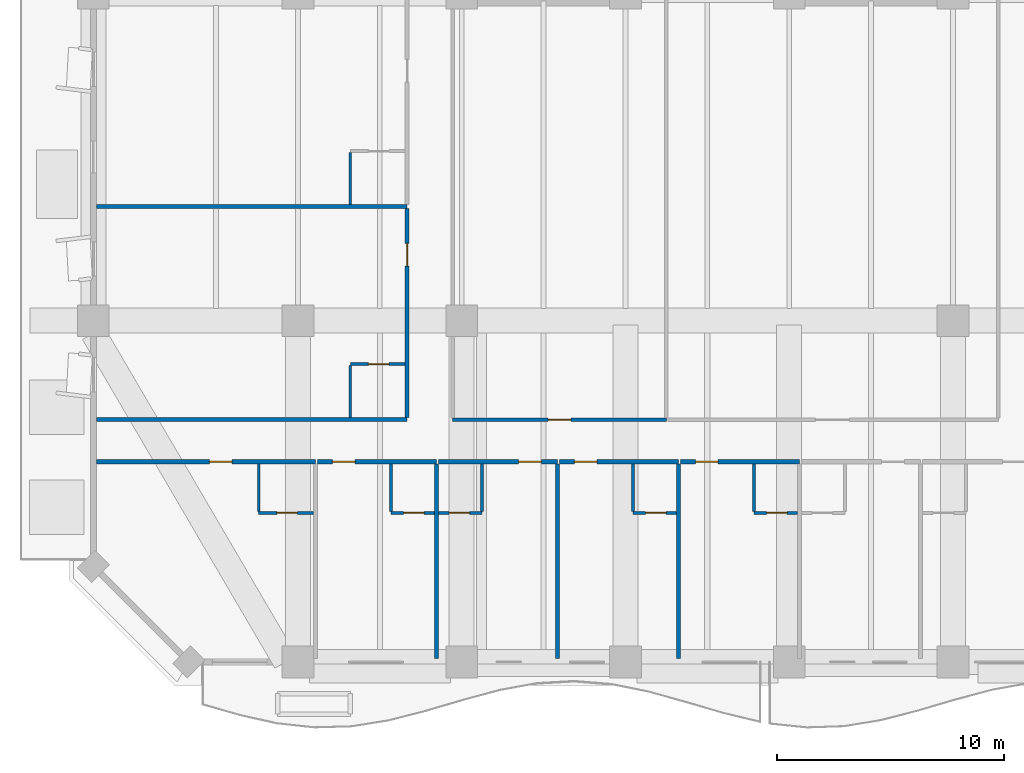
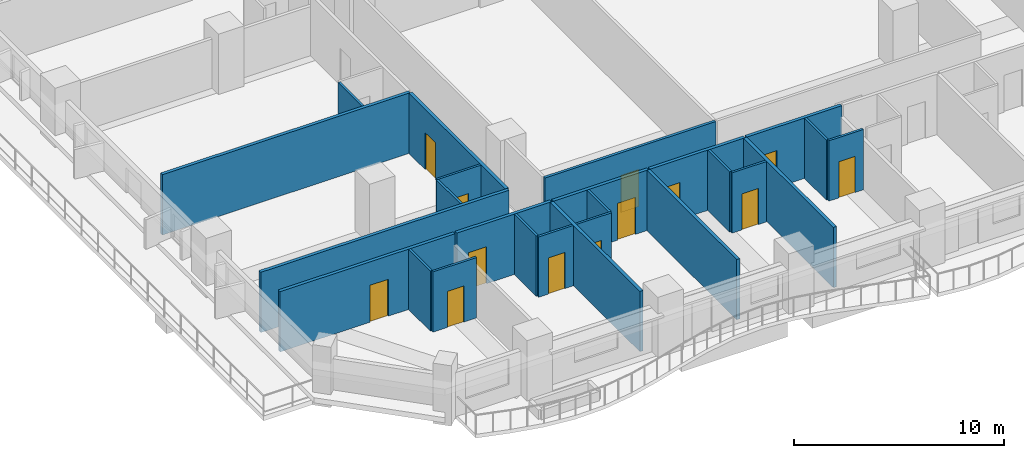
# One storey, part 5 of 17: 25 walls, 13 doors, 13 openings.
"""IFC4 building model written with IfcOpenShell, lengths in metres."""

import ifcopenshell
import ifcopenshell.guid

model = None  # the IFC model being written
_history = None  # IfcOwnerHistory: only IFC2X3 demands one
_inside = {}  # id of a spatial element -> (the spatial element, [elements in it])
_under = {}  # id of a project, library or spatial element -> (it, [spatial elements below it])
_declared = {}  # id of a project -> (the project, [libraries it declares])
_typed = {}  # id of a type object -> (the type object, [elements of that type])
_made_of = {}  # id of a material, layer set ... -> (it, [elements and type objects made of it])


def new_model(schema):
    """Start an empty IFC model of exactly this schema.

    Asked for "IFC4X3", IfcOpenShell would pick the latest addendum, in which some entities
    have other attributes; the version numbers below select the first issue.
    IFC2X3 requires an IfcOwnerHistory on every rooted entity: one is made here for all.
    """
    global model, _history
    if schema == "IFC4X3":
        model = ifcopenshell.file(schema_version=(4, 3, 0, 0))
    else:
        model = ifcopenshell.file(schema=schema)
    _inside.clear()
    _under.clear()
    _declared.clear()
    _typed.clear()
    _made_of.clear()
    _history = None
    if model.schema == "IFC2X3":
        org = make("IfcOrganization", Name="unknown")
        user = make(
            "IfcPersonAndOrganization",
            ThePerson=make("IfcPerson", FamilyName="unknown"),
            TheOrganization=org,
        )
        app = make(
            "IfcApplication",
            ApplicationDeveloper=org,
            Version="unknown",
            ApplicationFullName="unknown",
            ApplicationIdentifier="unknown",
        )
        _history = make(
            "IfcOwnerHistory",
            OwningUser=user,
            OwningApplication=app,
            ChangeAction="ADDED",
            CreationDate=0,
        )
    return model


def make(cls, **values):
    """One entity of the class cls with the attributes given. An attribute that is None is left unset."""
    return model.create_entity(
        cls, **{name: value for name, value in values.items() if value is not None}
    )


def rooted(cls, **values):
    """An entity with a GlobalId (a new one), such as an element, a storey or a relation."""
    return make(cls, GlobalId=ifcopenshell.guid.new(), OwnerHistory=_history, **values)


def si_unit(unit_type, name, prefix=None):
    """IfcSIUnit, for example si_unit("LENGTHUNIT", "METRE", prefix="MILLI")."""
    return make("IfcSIUnit", UnitType=unit_type, Prefix=prefix, Name=name)


def assignment(units):
    """IfcUnitAssignment: the units of a project."""
    return None if units is None else make("IfcUnitAssignment", Units=units)


def point(xyz):
    """IfcCartesianPoint."""
    return None if xyz is None else make("IfcCartesianPoint", Coordinates=xyz)


def direction(xyz):
    """IfcDirection."""
    return None if xyz is None else make("IfcDirection", DirectionRatios=xyz)


def frame(location, z_axis=None, x_axis=None):
    """IfcAxis2Placement3D, a coordinate frame: its origin and axes. An axis left out is left unset."""
    return make(
        "IfcAxis2Placement3D",
        Location=point(location),
        Axis=direction(z_axis),
        RefDirection=direction(x_axis),
    )


def frame_2d(location, x_axis=None):
    """IfcAxis2Placement2D, a coordinate frame in the plane: its origin and x axis."""
    return make(
        "IfcAxis2Placement2D", Location=point(location), RefDirection=direction(x_axis)
    )


def origin():
    """The frame at (0, 0, 0) with its axes left unset."""
    return frame((0.0, 0.0, 0.0))


def place(relative_to, where):
    """IfcLocalPlacement: puts the frame where relative to a parent placement (None: the world)."""
    return make(
        "IfcLocalPlacement", PlacementRelTo=relative_to, RelativePlacement=where
    )


def context(
    kind, dimensions, precision=None, world=None, true_north=None, identifier=None
):
    """IfcGeometricRepresentationContext, for example the 3D "Model" context."""
    return make(
        "IfcGeometricRepresentationContext",
        ContextIdentifier=identifier,
        ContextType=kind,
        CoordinateSpaceDimension=dimensions,
        Precision=precision,
        WorldCoordinateSystem=world,
        TrueNorth=true_north,
    )


def subcontext(parent, identifier, kind, view, scale=None):
    """IfcGeometricRepresentationSubContext, for example "Body" below "Model"."""
    return make(
        "IfcGeometricRepresentationSubContext",
        ContextIdentifier=identifier,
        ContextType=kind,
        ParentContext=parent,
        TargetScale=scale,
        TargetView=view,
    )


def project(units=None, contexts=None):
    """IfcProject with its units and contexts."""
    return rooted(
        "IfcProject",
        Name="project",
        RepresentationContexts=contexts,
        UnitsInContext=assignment(units),
    )


def spatial(cls, under=None, at=None, **own):
    """A site, building, storey or space (cls), placed at a placement, below another one or the project."""
    s = rooted(cls, ObjectPlacement=at, **own)
    if under is not None:
        _under.setdefault(under.id(), (under, []))[1].append(s)
    return s


def profile(cls, at=None, kind="AREA", **sizes):
    """A parametric profile (cls). Its sizes go by their IFC names, for example OverallWidth=200.0."""
    return make(cls, ProfileType=kind, Position=at, **sizes)


def rectangle(**sizes):
    """IfcRectangleProfileDef."""
    return profile("IfcRectangleProfileDef", **sizes)


def extrude(swept, where, along, depth):
    """IfcExtrudedAreaSolid: the profile swept, set in the frame where, extruded along a direction by depth."""
    return make(
        "IfcExtrudedAreaSolid",
        SweptArea=swept,
        Position=where,
        ExtrudedDirection=direction(along),
        Depth=depth,
    )


def shape(context_of_items, identifier, shape_type, items):
    """IfcShapeRepresentation: the items that make up one representation, for example the "Body"."""
    return make(
        "IfcShapeRepresentation",
        ContextOfItems=context_of_items,
        RepresentationIdentifier=identifier,
        RepresentationType=shape_type,
        Items=items,
    )


def material(Name=None, Category=None):
    """IfcMaterial."""
    return make("IfcMaterial", Name=Name, Category=Category)


def layer(
    of_material, thickness, ventilated=None, Name=None, Category=None, Priority=None
):
    """IfcMaterialLayer: one layer of a wall or slab, of a material (None: an air gap)."""
    return make(
        "IfcMaterialLayer",
        Material=of_material,
        LayerThickness=thickness,
        IsVentilated=ventilated,
        Name=Name,
        Category=Category,
        Priority=Priority,
    )


def layer_set(layers, Name=None):
    """IfcMaterialLayerSet."""
    return make("IfcMaterialLayerSet", MaterialLayers=layers, LayerSetName=Name)


def made_of(thing, what):
    """Note that an element or type object is made of a material, layer set ...; save() writes the relation."""
    if what is not None:
        _made_of.setdefault(what.id(), (what, []))[1].append(thing)
    return thing


def type_object(cls, material=None, **own):
    """A type object (cls), such as IfcWallType, which elements share."""
    return made_of(rooted(cls, **own), material)


def element(
    cls,
    number,
    at=None,
    inside=None,
    cuts=None,
    type_object=None,
    material=None,
    context=None,
    identifier="Body",
    shape_type=None,
    held_by="IfcProductDefinitionShape",
    body=None,
    shapes=None,
    **own,
):
    """One element of the class cls, such as IfcWall. Its Tag is "e" and its number.

    at: its placement. inside: the storey or other place that contains it. cuts: it is an
    opening in that element (IfcRelVoidsElement). A single representation is given by context,
    identifier, shape_type and body (its items); several are given by shapes. held_by: the class
    of the entity that holds the representations. save() writes the other relations.
    """
    e = rooted(cls, Tag="e%d" % number, ObjectPlacement=at, **own)
    if body is not None:
        shapes = [shape(context, identifier, shape_type, body)]
    if shapes is not None:
        e.Representation = make(held_by, Representations=shapes)
    if inside is not None:
        _inside.setdefault(inside.id(), (inside, []))[1].append(e)
    if cuts is not None:
        rooted(
            "IfcRelVoidsElement", RelatingBuildingElement=cuts, RelatedOpeningElement=e
        )
    if type_object is not None:
        _typed.setdefault(type_object.id(), (type_object, []))[1].append(e)
    return made_of(e, material)


def fill(opening, filler):
    """IfcRelFillsElement: the door or window that sits in an opening."""
    return rooted(
        "IfcRelFillsElement",
        RelatingOpeningElement=opening,
        RelatedBuildingElement=filler,
    )


def aggregate(whole, parts):
    """IfcRelAggregates: a whole, such as a stair, and the parts it consists of."""
    return rooted("IfcRelAggregates", RelatingObject=whole, RelatedObjects=parts)


def save(model, path):
    """Write the relations noted so far, then the file.

    IfcRelAggregates (storeys below a building ...), IfcRelContainedInSpatialStructure (elements
    in a storey), IfcRelDefinesByType, IfcRelAssociatesMaterial and IfcRelDeclares: one each for
    every whole, place, type object, material and project.
    """
    for whole, parts in _under.values():
        aggregate(whole, parts)
    for where, things in _inside.values():
        rooted(
            "IfcRelContainedInSpatialStructure",
            RelatedElements=things,
            RelatingStructure=where,
        )
    for kind, things in _typed.values():
        rooted("IfcRelDefinesByType", RelatedObjects=things, RelatingType=kind)
    for what, things in _made_of.values():
        rooted("IfcRelAssociatesMaterial", RelatedObjects=things, RelatingMaterial=what)
    for by, libraries in _declared.values():
        rooted("IfcRelDeclares", RelatingContext=by, RelatedDefinitions=libraries)
    model.write(path)


model = new_model("IFC4")

# Units and contexts
model_context = context("Model", 3, precision=1e-05, world=origin(), true_north=direction((0.0, 1.0)))
body_context = subcontext(model_context, "Body", "Model", "MODEL_VIEW")
ifc_project = project(units=[si_unit("LENGTHUNIT", "METRE"), si_unit("AREAUNIT", "SQUARE_METRE"), si_unit("VOLUMEUNIT", "CUBIC_METRE"), si_unit("PLANEANGLEUNIT", "RADIAN"), si_unit("MASSUNIT", "GRAM", prefix="KILO")], contexts=[model_context])

# Site, building, storey
site_placement = place(None, origin())
site = spatial("IfcSite", under=ifc_project, at=site_placement, CompositionType="ELEMENT")
building_placement = place(site_placement, origin())
building = spatial("IfcBuilding", under=site, at=building_placement, Name="Kaelvorn Grand Hotel", CompositionType="ELEMENT")
storey_placement = place(building_placement, frame((0.0, 0.0, 31.39990234375)))
storey = spatial("IfcBuildingStorey", under=building, at=storey_placement, Name="L05", CompositionType="ELEMENT", Elevation=31.39990234375)

# Wall, opening, door
ifc_material_1 = material(Name="Moisture-Resistant Tile & Stud Board")
ifc_layer_1 = layer(ifc_material_1, 0.125)
ifc_layer_set_1 = layer_set([ifc_layer_1], Name="Moisture-Resistant Tile & Stud Board")
wall_type_1 = type_object("IfcWallType", Name="WL-PART-125-WET", PredefinedType="PARTITIONING", material=ifc_layer_set_1)
wall_1_placement = place(storey_placement, frame((7.271240234375, 6.550048828125, 0.0), z_axis=(0.0, 0.0, 1.0), x_axis=(1.0, 0.0, 0.0)))
wall_1 = element("IfcWall", 1, at=wall_1_placement, inside=storey, type_object=wall_type_1, Name="L05 En-suite Bathroom L05-01 S Partition", PredefinedType="PARTITIONING", context=body_context, shape_type="SweptSolid", body=[
    extrude(rectangle(XDim=2.405029296875, YDim=0.125, at=frame_2d((1.20263671875, 0.0))), origin(), (0.0, 0.0, 1.0), 3.510009765625),
])
opening_1_placement = place(wall_1_placement, frame((0.800048828125, 0.0, 0.0)))
opening_1 = element("IfcOpeningElement", 2, at=opening_1_placement, cuts=wall_1, Name="Opening DI4", PredefinedType="OPENING", context=body_context, shape_type="SweptSolid", body=[
    extrude(rectangle(XDim=0.89990234375, YDim=2.10009765625, at=frame_2d((0.449951171875, 1.050048828125))), frame((0.0, 0.072509765625, 0.0), z_axis=(0.0, -1.0, 0.0), x_axis=(1.0, 0.0, 0.0)), (0.0, 0.0, 1.0), 0.14501953125),
])
ifc_material_2 = material(Name="Timber Veneer Leaf", Category="wood")
door_type_1 = type_object("IfcDoorType", Name="DR-INT-BATH-900x2100", OperationType="NOTDEFINED", PredefinedType="DOOR", material=ifc_material_2)
door_1_placement = place(opening_1_placement, origin())
door_1 = element("IfcDoor", 3, at=door_1_placement, inside=storey, type_object=door_type_1, Name="L05 En-suite Bathroom L05-01 Door", OperationType="SINGLE_SWING_RIGHT", OverallHeight=2.10009765625, OverallWidth=0.89990234375, PredefinedType="DOOR", context=body_context, shape_type="SweptSolid", body=[
    extrude(rectangle(XDim=0.89990234375, YDim=2.10009765625, at=frame_2d((0.449951171875, 1.050048828125))), frame((0.0, 0.02490234375, 0.0), z_axis=(0.0, -1.0, 0.0), x_axis=(1.0, 0.0, 0.0)), (0.0, 0.0, 1.0), 0.050048828125),
])
fill(opening_1, door_1)

# Wall
wall_2_placement = place(storey_placement, frame((7.271240234375, 6.617431640625, 0.0), z_axis=(0.0, 0.0, 1.0), x_axis=(0.0, 1.0, 0.0)))
element("IfcWall", 4, at=wall_2_placement, inside=storey, type_object=wall_type_1, Name="L05 En-suite Bathroom L05-01 W Partition", PredefinedType="PARTITIONING", context=body_context, shape_type="SweptSolid", body=[
    extrude(rectangle(XDim=2.087646484375, YDim=0.125, at=frame_2d((1.0439453125, 0.0))), origin(), (0.0, 0.0, 1.0), 3.510009765625),
])

# Wall, opening, door
wall_3_placement = place(storey_placement, frame((13.092529296875, 6.550048828125, 0.0), z_axis=(0.0, 0.0, 1.0), x_axis=(1.0, 0.0, 0.0)))
wall_3 = element("IfcWall", 5, at=wall_3_placement, inside=storey, type_object=wall_type_1, Name="L05 En-suite Bathroom L05-02 S Partition", PredefinedType="PARTITIONING", context=body_context, shape_type="SweptSolid", body=[
    extrude(rectangle(XDim=1.905029296875, YDim=0.125, at=frame_2d((0.95263671875, 0.0))), origin(), (0.0, 0.0, 1.0), 3.510009765625),
])
opening_2_placement = place(wall_3_placement, frame((0.550048828125, 0.0, 0.0)))
opening_2 = element("IfcOpeningElement", 6, at=opening_2_placement, cuts=wall_3, Name="Opening DI4", PredefinedType="OPENING", context=body_context, shape_type="SweptSolid", body=[
    extrude(rectangle(XDim=0.89990234375, YDim=2.10009765625, at=frame_2d((0.449951171875, 1.050048828125))), frame((0.0, 0.072509765625, 0.0), z_axis=(0.0, -1.0, 0.0), x_axis=(1.0, 0.0, 0.0)), (0.0, 0.0, 1.0), 0.14501953125),
])
door_2_placement = place(opening_2_placement, origin())
door_2 = element("IfcDoor", 7, at=door_2_placement, inside=storey, type_object=door_type_1, Name="L05 En-suite Bathroom L05-02 Door", OperationType="SINGLE_SWING_RIGHT", OverallHeight=2.10009765625, OverallWidth=0.89990234375, PredefinedType="DOOR", context=body_context, shape_type="SweptSolid", body=[
    extrude(rectangle(XDim=0.89990234375, YDim=2.10009765625, at=frame_2d((0.449951171875, 1.050048828125))), frame((0.0, 0.02490234375, 0.0), z_axis=(0.0, -1.0, 0.0), x_axis=(1.0, 0.0, 0.0)), (0.0, 0.0, 1.0), 0.050048828125),
])
fill(opening_2, door_2)

# Wall
wall_4_placement = place(storey_placement, frame((13.092529296875, 6.617431640625, 0.0), z_axis=(0.0, 0.0, 1.0), x_axis=(0.0, 1.0, 0.0)))
element("IfcWall", 8, at=wall_4_placement, inside=storey, type_object=wall_type_1, Name="L05 En-suite Bathroom L05-02 W Partition", PredefinedType="PARTITIONING", context=body_context, shape_type="SweptSolid", body=[
    extrude(rectangle(XDim=2.087646484375, YDim=0.125, at=frame_2d((1.0439453125, 0.0))), origin(), (0.0, 0.0, 1.0), 3.510009765625),
])

# Wall, opening, door
wall_5_placement = place(storey_placement, frame((15.1875, 6.550048828125, 0.0), z_axis=(0.0, 0.0, 1.0), x_axis=(1.0, 0.0, 0.0)))
wall_5 = element("IfcWall", 9, at=wall_5_placement, inside=storey, type_object=wall_type_1, Name="L05 En-suite Bathroom L05-03 S Partition", PredefinedType="PARTITIONING", context=body_context, shape_type="SweptSolid", body=[
    extrude(rectangle(XDim=1.905029296875, YDim=0.125, at=frame_2d((0.95263671875, 0.0))), origin(), (0.0, 0.0, 1.0), 3.510009765625),
])
opening_3_placement = place(wall_5_placement, frame((0.455078125, 0.0, 0.0)))
opening_3 = element("IfcOpeningElement", 10, at=opening_3_placement, cuts=wall_5, Name="Opening DI4", PredefinedType="OPENING", context=body_context, shape_type="SweptSolid", body=[
    extrude(rectangle(XDim=0.89990234375, YDim=2.10009765625, at=frame_2d((0.449951171875, 1.050048828125))), frame((0.0, 0.072509765625, 0.0), z_axis=(0.0, -1.0, 0.0), x_axis=(1.0, 0.0, 0.0)), (0.0, 0.0, 1.0), 0.14501953125),
])
door_3_placement = place(opening_3_placement, origin())
door_3 = element("IfcDoor", 11, at=door_3_placement, inside=storey, type_object=door_type_1, Name="L05 En-suite Bathroom L05-03 Door", OperationType="SINGLE_SWING_RIGHT", OverallHeight=2.10009765625, OverallWidth=0.89990234375, PredefinedType="DOOR", context=body_context, shape_type="SweptSolid", body=[
    extrude(rectangle(XDim=0.89990234375, YDim=2.10009765625, at=frame_2d((0.449951171875, 1.050048828125))), frame((0.0, 0.02490234375, 0.0), z_axis=(0.0, -1.0, 0.0), x_axis=(1.0, 0.0, 0.0)), (0.0, 0.0, 1.0), 0.050048828125),
])
fill(opening_3, door_3)

# Wall
wall_6_placement = place(storey_placement, frame((17.092529296875, 6.617431640625, 0.0), z_axis=(0.0, 0.0, 1.0), x_axis=(0.0, 1.0, 0.0)))
element("IfcWall", 12, at=wall_6_placement, inside=storey, type_object=wall_type_1, Name="L05 En-suite Bathroom L05-03 E Partition", PredefinedType="PARTITIONING", context=body_context, shape_type="SweptSolid", body=[
    extrude(rectangle(XDim=2.087646484375, YDim=0.125, at=frame_2d((1.0439453125, 0.0))), origin(), (0.0, 0.0, 1.0), 3.510009765625),
])

# Wall, opening, door
wall_7_placement = place(storey_placement, frame((23.735107421875, 6.550048828125, 0.0), z_axis=(0.0, 0.0, 1.0), x_axis=(1.0, 0.0, 0.0)))
wall_7 = element("IfcWall", 13, at=wall_7_placement, inside=storey, type_object=wall_type_1, Name="L05 En-suite Bathroom L05-04 S Partition", PredefinedType="PARTITIONING", context=body_context, shape_type="SweptSolid", body=[
    extrude(rectangle(XDim=1.90478515625, YDim=0.125, at=frame_2d((0.952392578125, 0.0))), origin(), (0.0, 0.0, 1.0), 3.510009765625),
])
opening_4_placement = place(wall_7_placement, frame((0.550048828125, 0.0, 0.0)))
opening_4 = element("IfcOpeningElement", 14, at=opening_4_placement, cuts=wall_7, Name="Opening DI4", PredefinedType="OPENING", context=body_context, shape_type="SweptSolid", body=[
    extrude(rectangle(XDim=0.89990234375, YDim=2.10009765625, at=frame_2d((0.449951171875, 1.050048828125))), frame((0.0, 0.072509765625, 0.0), z_axis=(0.0, -1.0, 0.0), x_axis=(1.0, 0.0, 0.0)), (0.0, 0.0, 1.0), 0.14501953125),
])
door_4_placement = place(opening_4_placement, origin())
door_4 = element("IfcDoor", 15, at=door_4_placement, inside=storey, type_object=door_type_1, Name="L05 En-suite Bathroom L05-04 Door", OperationType="SINGLE_SWING_RIGHT", OverallHeight=2.10009765625, OverallWidth=0.89990234375, PredefinedType="DOOR", context=body_context, shape_type="SweptSolid", body=[
    extrude(rectangle(XDim=0.89990234375, YDim=2.10009765625, at=frame_2d((0.449951171875, 1.050048828125))), frame((0.0, 0.02490234375, 0.0), z_axis=(0.0, -1.0, 0.0), x_axis=(1.0, 0.0, 0.0)), (0.0, 0.0, 1.0), 0.050048828125),
])
fill(opening_4, door_4)

# Wall
wall_8_placement = place(storey_placement, frame((23.735107421875, 6.617431640625, 0.0), z_axis=(0.0, 0.0, 1.0), x_axis=(0.0, 1.0, 0.0)))
element("IfcWall", 16, at=wall_8_placement, inside=storey, type_object=wall_type_1, Name="L05 En-suite Bathroom L05-04 W Partition", PredefinedType="PARTITIONING", context=body_context, shape_type="SweptSolid", body=[
    extrude(rectangle(XDim=2.087646484375, YDim=0.125, at=frame_2d((1.0439453125, 0.0))), origin(), (0.0, 0.0, 1.0), 3.510009765625),
])

# Wall, opening, door
wall_9_placement = place(storey_placement, frame((29.056396484375, 6.550048828125, 0.0), z_axis=(0.0, 0.0, 1.0), x_axis=(1.0, 0.0, 0.0)))
wall_9 = element("IfcWall", 17, at=wall_9_placement, inside=storey, type_object=wall_type_1, Name="L05 En-suite Bathroom L05-05 S Partition", PredefinedType="PARTITIONING", context=body_context, shape_type="SweptSolid", body=[
    extrude(rectangle(XDim=1.90478515625, YDim=0.125, at=frame_2d((0.952392578125, 0.0))), origin(), (0.0, 0.0, 1.0), 3.510009765625),
])
opening_5_placement = place(wall_9_placement, frame((0.550048828125, 0.0, 0.0)))
opening_5 = element("IfcOpeningElement", 18, at=opening_5_placement, cuts=wall_9, Name="Opening DI4", PredefinedType="OPENING", context=body_context, shape_type="SweptSolid", body=[
    extrude(rectangle(XDim=0.89990234375, YDim=2.10009765625, at=frame_2d((0.449951171875, 1.050048828125))), frame((0.0, 0.072509765625, 0.0), z_axis=(0.0, -1.0, 0.0), x_axis=(1.0, 0.0, 0.0)), (0.0, 0.0, 1.0), 0.14501953125),
])
door_5_placement = place(opening_5_placement, origin())
door_5 = element("IfcDoor", 19, at=door_5_placement, inside=storey, type_object=door_type_1, Name="L05 En-suite Bathroom L05-05 Door", OperationType="SINGLE_SWING_RIGHT", OverallHeight=2.10009765625, OverallWidth=0.89990234375, PredefinedType="DOOR", context=body_context, shape_type="SweptSolid", body=[
    extrude(rectangle(XDim=0.89990234375, YDim=2.10009765625, at=frame_2d((0.449951171875, 1.050048828125))), frame((0.0, 0.02490234375, 0.0), z_axis=(0.0, -1.0, 0.0), x_axis=(1.0, 0.0, 0.0)), (0.0, 0.0, 1.0), 0.050048828125),
])
fill(opening_5, door_5)

# Wall
wall_10_placement = place(storey_placement, frame((29.056396484375, 6.617431640625, 0.0), z_axis=(0.0, 0.0, 1.0), x_axis=(0.0, 1.0, 0.0)))
element("IfcWall", 20, at=wall_10_placement, inside=storey, type_object=wall_type_1, Name="L05 En-suite Bathroom L05-05 W Partition", PredefinedType="PARTITIONING", context=body_context, shape_type="SweptSolid", body=[
    extrude(rectangle(XDim=2.087646484375, YDim=0.125, at=frame_2d((1.0439453125, 0.0))), origin(), (0.0, 0.0, 1.0), 3.510009765625),
])

# Wall, opening, door
wall_11_placement = place(storey_placement, frame((11.300048828125, 13.090087890625, 0.0), z_axis=(0.0, 0.0, 1.0), x_axis=(1.0, 0.0, 0.0)))
wall_11 = element("IfcWall", 21, at=wall_11_placement, inside=storey, type_object=wall_type_1, Name="L05 En-suite Bathroom L05-14 N Partition", PredefinedType="PARTITIONING", context=body_context, shape_type="SweptSolid", body=[
    extrude(rectangle(XDim=2.405029296875, YDim=0.125, at=frame_2d((1.20263671875, 0.0))), origin(), (0.0, 0.0, 1.0), 3.510009765625),
])
opening_6_placement = place(wall_11_placement, frame((0.800048828125, 0.0, 0.0)))
opening_6 = element("IfcOpeningElement", 22, at=opening_6_placement, cuts=wall_11, Name="Opening DI4", PredefinedType="OPENING", context=body_context, shape_type="SweptSolid", body=[
    extrude(rectangle(XDim=0.89990234375, YDim=2.10009765625, at=frame_2d((0.449951171875, 1.050048828125))), frame((0.0, 0.072509765625, 0.0), z_axis=(0.0, -1.0, 0.0), x_axis=(1.0, 0.0, 0.0)), (0.0, 0.0, 1.0), 0.14501953125),
])
door_6_placement = place(opening_6_placement, origin())
door_6 = element("IfcDoor", 23, at=door_6_placement, inside=storey, type_object=door_type_1, Name="L05 En-suite Bathroom L05-14 Door", OperationType="SINGLE_SWING_LEFT", OverallHeight=2.10009765625, OverallWidth=0.89990234375, PredefinedType="DOOR", context=body_context, shape_type="SweptSolid", body=[
    extrude(rectangle(XDim=0.89990234375, YDim=2.10009765625, at=frame_2d((0.449951171875, 1.050048828125))), frame((0.0, 0.02490234375, 0.0), z_axis=(0.0, -1.0, 0.0), x_axis=(1.0, 0.0, 0.0)), (0.0, 0.0, 1.0), 0.050048828125),
])
fill(opening_6, door_6)

# Walls
wall_12_placement = place(storey_placement, frame((11.300048828125, 10.7451171875, 0.0), z_axis=(0.0, 0.0, 1.0), x_axis=(0.0, 1.0, 0.0)))
element("IfcWall", 24, at=wall_12_placement, inside=storey, type_object=wall_type_1, Name="L05 En-suite Bathroom L05-14 W Partition", PredefinedType="PARTITIONING", context=body_context, shape_type="SweptSolid", body=[
    extrude(rectangle(XDim=2.27734375, YDim=0.125, at=frame_2d((1.138671875, 0.0))), origin(), (0.0, 0.0, 1.0), 3.510009765625),
])
wall_13_placement = place(storey_placement, frame((11.300048828125, 20.114990234375, 0.0), z_axis=(0.0, 0.0, 1.0), x_axis=(0.0, 1.0, 0.0)))
element("IfcWall", 25, at=wall_13_placement, inside=storey, type_object=wall_type_1, Name="L05 En-suite Bathroom L05-15 W Partition", PredefinedType="PARTITIONING", context=body_context, shape_type="SweptSolid", body=[
    extrude(rectangle(XDim=2.277587890625, YDim=0.125, at=frame_2d((1.138671875, 0.0))), origin(), (0.0, 0.0, 1.0), 3.510009765625),
])

# Wall, opening, door
ifc_material_3 = material(Name="Acoustic Gypsum & Stud Partition")
ifc_layer_2 = layer(ifc_material_3, 0.14990234375)
ifc_layer_set_2 = layer_set([ifc_layer_2], Name="Acoustic Gypsum & Stud Partition")
wall_type_2 = type_object("IfcWallType", Name="WL-PART-150-EI60", PredefinedType="PARTITIONING", material=ifc_layer_set_2)
wall_14_placement = place(storey_placement, frame((15.800048828125, 10.64990234375, 0.0), z_axis=(0.0, 0.0, 1.0), x_axis=(1.0, 0.0, 0.0)))
wall_14 = element("IfcWall", 26, at=wall_14_placement, inside=storey, type_object=wall_type_2, Name="L05 Executive Meeting Boardroom S Partition", PredefinedType="PARTITIONING", context=body_context, shape_type="SweptSolid", body=[
    extrude(rectangle(XDim=9.39990234375, YDim=0.14990234375, at=frame_2d((4.699951171875, 0.0))), origin(), (0.0, 0.0, 1.0), 3.510009765625),
])
opening_7_placement = place(wall_14_placement, frame((4.199951171875, 0.0, 0.0)))
opening_7 = element("IfcOpeningElement", 27, at=opening_7_placement, cuts=wall_14, Name="Opening DI3", PredefinedType="OPENING", context=body_context, shape_type="SweptSolid", body=[
    extrude(rectangle(XDim=1.0, YDim=2.14990234375, at=frame_2d((0.5, 1.074951171875))), frame((0.0, 0.0849609375, 0.0), z_axis=(0.0, -1.0, 0.0), x_axis=(1.0, 0.0, 0.0)), (0.0, 0.0, 1.0), 0.169921875),
])
ifc_material_4 = material(Name="Timber Veneer Fire Leaf", Category="wood")
door_type_2 = type_object("IfcDoorType", Name="DR-INT-GUEST-1000x2150", OperationType="NOTDEFINED", PredefinedType="DOOR", material=ifc_material_4)
door_7_placement = place(opening_7_placement, origin())
door_7 = element("IfcDoor", 28, at=door_7_placement, inside=storey, type_object=door_type_2, Name="L05 Executive Meeting Boardroom Door", OperationType="SINGLE_SWING_LEFT", OverallHeight=2.14990234375, OverallWidth=1.0, PredefinedType="DOOR", context=body_context, shape_type="SweptSolid", body=[
    extrude(rectangle(XDim=1.0, YDim=2.14990234375, at=frame_2d((0.5, 1.074951171875))), frame((0.0, 0.02490234375, 0.0), z_axis=(0.0, -1.0, 0.0), x_axis=(1.0, 0.0, 0.0)), (0.0, 0.0, 1.0), 0.050048828125),
])
fill(opening_7, door_7)

ifc_layer_3 = layer(ifc_material_3, 0.179931640625)
ifc_layer_set_3 = layer_set([ifc_layer_3], Name="Acoustic Gypsum & Stud Partition")
wall_type_3 = type_object("IfcWallType", Name="WL-PART-180-EI60", PredefinedType="PARTITIONING", material=ifc_layer_set_3)
wall_15_placement = place(storey_placement, frame((0.14990234375, 8.800048828125, 0.0), z_axis=(0.0, 0.0, 1.0), x_axis=(1.0, 0.0, 0.0)))
wall_15 = element("IfcWall", 29, at=wall_15_placement, inside=storey, type_object=wall_type_3, Name="L05 Deluxe Panoramic Suite L05-01 N Partition", PredefinedType="PARTITIONING", context=body_context, shape_type="SweptSolid", body=[
    extrude(rectangle(XDim=9.621337890625, YDim=0.179931640625, at=frame_2d((4.810546875, 0.0))), origin(), (0.0, 0.0, 1.0), 3.510009765625),
])
opening_8_placement = place(wall_15_placement, frame((4.949951171875, 0.0, 0.0)))
opening_8 = element("IfcOpeningElement", 30, at=opening_8_placement, cuts=wall_15, Name="Opening DI3", PredefinedType="OPENING", context=body_context, shape_type="SweptSolid", body=[
    extrude(rectangle(XDim=1.0, YDim=2.14990234375, at=frame_2d((0.5, 1.074951171875))), frame((0.0, 0.10009765625, 0.0), z_axis=(0.0, -1.0, 0.0), x_axis=(1.0, 0.0, 0.0)), (0.0, 0.0, 1.0), 0.199951171875),
])
door_8_placement = place(opening_8_placement, origin())
door_8 = element("IfcDoor", 31, at=door_8_placement, inside=storey, type_object=door_type_2, Name="L05 Deluxe Panoramic Suite L05-01 Door", OperationType="SINGLE_SWING_LEFT", OverallHeight=2.14990234375, OverallWidth=1.0, PredefinedType="DOOR", context=body_context, shape_type="SweptSolid", body=[
    extrude(rectangle(XDim=1.0, YDim=2.14990234375, at=frame_2d((0.5, 1.074951171875))), frame((0.0, 0.02490234375, 0.0), z_axis=(0.0, -1.0, 0.0), x_axis=(1.0, 0.0, 0.0)), (0.0, 0.0, 1.0), 0.050048828125),
])
fill(opening_8, door_8)

wall_16_placement = place(storey_placement, frame((9.8662109375, 8.800048828125, 0.0), z_axis=(0.0, 0.0, 1.0), x_axis=(1.0, 0.0, 0.0)))
wall_16 = element("IfcWall", 32, at=wall_16_placement, inside=storey, type_object=wall_type_3, Name="L05 Deluxe King Guest Room L05-02 N Partition", PredefinedType="PARTITIONING", context=body_context, shape_type="SweptSolid", body=[
    extrude(rectangle(XDim=5.226318359375, YDim=0.179931640625, at=frame_2d((2.61328125, 0.0))), origin(), (0.0, 0.0, 1.0), 3.510009765625),
])
opening_9_placement = place(wall_16_placement, frame((0.64990234375, 0.0, 0.0)))
opening_9 = element("IfcOpeningElement", 33, at=opening_9_placement, cuts=wall_16, Name="Opening DI3", PredefinedType="OPENING", context=body_context, shape_type="SweptSolid", body=[
    extrude(rectangle(XDim=1.0, YDim=2.14990234375, at=frame_2d((0.5, 1.074951171875))), frame((0.0, 0.10009765625, 0.0), z_axis=(0.0, -1.0, 0.0), x_axis=(1.0, 0.0, 0.0)), (0.0, 0.0, 1.0), 0.199951171875),
])
door_9_placement = place(opening_9_placement, origin())
door_9 = element("IfcDoor", 34, at=door_9_placement, inside=storey, type_object=door_type_2, Name="L05 Deluxe King Guest Room L05-02 Door", OperationType="SINGLE_SWING_LEFT", OverallHeight=2.14990234375, OverallWidth=1.0, PredefinedType="DOOR", context=body_context, shape_type="SweptSolid", body=[
    extrude(rectangle(XDim=1.0, YDim=2.14990234375, at=frame_2d((0.5, 1.074951171875))), frame((0.0, 0.02490234375, 0.0), z_axis=(0.0, -1.0, 0.0), x_axis=(1.0, 0.0, 0.0)), (0.0, 0.0, 1.0), 0.050048828125),
])
fill(opening_9, door_9)

# Wall
wall_17_placement = place(storey_placement, frame((15.092529296875, 0.14990234375, 0.0), z_axis=(0.0, 0.0, 1.0), x_axis=(0.0, 1.0, 0.0)))
element("IfcWall", 35, at=wall_17_placement, inside=storey, type_object=wall_type_3, Name="L05 Deluxe King Guest Room L05-02 E Partition", PredefinedType="PARTITIONING", context=body_context, shape_type="SweptSolid", body=[
    extrude(rectangle(XDim=8.55517578125, YDim=0.179931640625, at=frame_2d((4.277587890625, 0.0))), origin(), (0.0, 0.0, 1.0), 3.510009765625),
])

# Wall, opening, door
wall_18_placement = place(storey_placement, frame((15.1875, 8.800048828125, 0.0), z_axis=(0.0, 0.0, 1.0), x_axis=(1.0, 0.0, 0.0)))
wall_18 = element("IfcWall", 36, at=wall_18_placement, inside=storey, type_object=wall_type_3, Name="L05 Deluxe King Guest Room L05-03 N Partition", PredefinedType="PARTITIONING", context=body_context, shape_type="SweptSolid", body=[
    extrude(rectangle(XDim=5.226318359375, YDim=0.179931640625, at=frame_2d((2.61328125, 0.0))), origin(), (0.0, 0.0, 1.0), 3.510009765625),
])
opening_10_placement = place(wall_18_placement, frame((3.515625, 0.0, 0.0)))
opening_10 = element("IfcOpeningElement", 37, at=opening_10_placement, cuts=wall_18, Name="Opening DI3", PredefinedType="OPENING", context=body_context, shape_type="SweptSolid", body=[
    extrude(rectangle(XDim=1.0, YDim=2.14990234375, at=frame_2d((0.5, 1.074951171875))), frame((0.0, 0.10009765625, 0.0), z_axis=(0.0, -1.0, 0.0), x_axis=(1.0, 0.0, 0.0)), (0.0, 0.0, 1.0), 0.199951171875),
])
door_10_placement = place(opening_10_placement, origin())
door_10 = element("IfcDoor", 38, at=door_10_placement, inside=storey, type_object=door_type_2, Name="L05 Deluxe King Guest Room L05-03 Door", OperationType="SINGLE_SWING_LEFT", OverallHeight=2.14990234375, OverallWidth=1.0, PredefinedType="DOOR", context=body_context, shape_type="SweptSolid", body=[
    extrude(rectangle(XDim=1.0, YDim=2.14990234375, at=frame_2d((0.5, 1.074951171875))), frame((0.0, 0.02490234375, 0.0), z_axis=(0.0, -1.0, 0.0), x_axis=(1.0, 0.0, 0.0)), (0.0, 0.0, 1.0), 0.050048828125),
])
fill(opening_10, door_10)

# Wall
wall_19_placement = place(storey_placement, frame((20.413818359375, 0.14990234375, 0.0), z_axis=(0.0, 0.0, 1.0), x_axis=(0.0, 1.0, 0.0)))
element("IfcWall", 39, at=wall_19_placement, inside=storey, type_object=wall_type_3, Name="L05 Deluxe King Guest Room L05-03 E Partition", PredefinedType="PARTITIONING", context=body_context, shape_type="SweptSolid", body=[
    extrude(rectangle(XDim=8.55517578125, YDim=0.179931640625, at=frame_2d((4.277587890625, 0.0))), origin(), (0.0, 0.0, 1.0), 3.510009765625),
])

# Wall, opening, door
wall_20_placement = place(storey_placement, frame((20.5087890625, 8.800048828125, 0.0), z_axis=(0.0, 0.0, 1.0), x_axis=(1.0, 0.0, 0.0)))
wall_20 = element("IfcWall", 40, at=wall_20_placement, inside=storey, type_object=wall_type_3, Name="L05 Deluxe King Guest Room L05-04 N Partition", PredefinedType="PARTITIONING", context=body_context, shape_type="SweptSolid", body=[
    extrude(rectangle(XDim=5.226318359375, YDim=0.179931640625, at=frame_2d((2.61328125, 0.0))), origin(), (0.0, 0.0, 1.0), 3.510009765625),
])
opening_11_placement = place(wall_20_placement, frame((0.64990234375, 0.0, 0.0)))
opening_11 = element("IfcOpeningElement", 41, at=opening_11_placement, cuts=wall_20, Name="Opening DI3", PredefinedType="OPENING", context=body_context, shape_type="SweptSolid", body=[
    extrude(rectangle(XDim=1.0, YDim=2.14990234375, at=frame_2d((0.5, 1.074951171875))), frame((0.0, 0.10009765625, 0.0), z_axis=(0.0, -1.0, 0.0), x_axis=(1.0, 0.0, 0.0)), (0.0, 0.0, 1.0), 0.199951171875),
])
door_11_placement = place(opening_11_placement, origin())
door_11 = element("IfcDoor", 42, at=door_11_placement, inside=storey, type_object=door_type_2, Name="L05 Deluxe King Guest Room L05-04 Door", OperationType="SINGLE_SWING_LEFT", OverallHeight=2.14990234375, OverallWidth=1.0, PredefinedType="DOOR", context=body_context, shape_type="SweptSolid", body=[
    extrude(rectangle(XDim=1.0, YDim=2.14990234375, at=frame_2d((0.5, 1.074951171875))), frame((0.0, 0.02490234375, 0.0), z_axis=(0.0, -1.0, 0.0), x_axis=(1.0, 0.0, 0.0)), (0.0, 0.0, 1.0), 0.050048828125),
])
fill(opening_11, door_11)

# Wall
wall_21_placement = place(storey_placement, frame((25.735107421875, 0.14990234375, 0.0), z_axis=(0.0, 0.0, 1.0), x_axis=(0.0, 1.0, 0.0)))
element("IfcWall", 43, at=wall_21_placement, inside=storey, type_object=wall_type_3, Name="L05 Deluxe King Guest Room L05-04 E Partition", PredefinedType="PARTITIONING", context=body_context, shape_type="SweptSolid", body=[
    extrude(rectangle(XDim=8.55517578125, YDim=0.179931640625, at=frame_2d((4.277587890625, 0.0))), origin(), (0.0, 0.0, 1.0), 3.510009765625),
])

# Wall, opening, door
wall_22_placement = place(storey_placement, frame((25.830078125, 8.800048828125, 0.0), z_axis=(0.0, 0.0, 1.0), x_axis=(1.0, 0.0, 0.0)))
wall_22 = element("IfcWall", 44, at=wall_22_placement, inside=storey, type_object=wall_type_3, Name="L05 Deluxe King Guest Room L05-05 N Partition", PredefinedType="PARTITIONING", context=body_context, shape_type="SweptSolid", body=[
    extrude(rectangle(XDim=5.226318359375, YDim=0.179931640625, at=frame_2d((2.61328125, 0.0))), origin(), (0.0, 0.0, 1.0), 3.510009765625),
])
opening_12_placement = place(wall_22_placement, frame((0.64990234375, 0.0, 0.0)))
opening_12 = element("IfcOpeningElement", 45, at=opening_12_placement, cuts=wall_22, Name="Opening DI3", PredefinedType="OPENING", context=body_context, shape_type="SweptSolid", body=[
    extrude(rectangle(XDim=1.0, YDim=2.14990234375, at=frame_2d((0.5, 1.074951171875))), frame((0.0, 0.10009765625, 0.0), z_axis=(0.0, -1.0, 0.0), x_axis=(1.0, 0.0, 0.0)), (0.0, 0.0, 1.0), 0.199951171875),
])
door_12_placement = place(opening_12_placement, origin())
door_12 = element("IfcDoor", 46, at=door_12_placement, inside=storey, type_object=door_type_2, Name="L05 Deluxe King Guest Room L05-05 Door", OperationType="SINGLE_SWING_LEFT", OverallHeight=2.14990234375, OverallWidth=1.0, PredefinedType="DOOR", context=body_context, shape_type="SweptSolid", body=[
    extrude(rectangle(XDim=1.0, YDim=2.14990234375, at=frame_2d((0.5, 1.074951171875))), frame((0.0, 0.02490234375, 0.0), z_axis=(0.0, -1.0, 0.0), x_axis=(1.0, 0.0, 0.0)), (0.0, 0.0, 1.0), 0.050048828125),
])
fill(opening_12, door_12)

# Walls
for number, where, z_axis, x_axis, name in (
    (47, (0.14990234375, 10.64990234375, 0.0), (0.0, 0.0, 1.0), (1.0, 0.0, 0.0), "L05 West Wing Panoramic Suite L05-14 S Partition"),
    (48, (0.14990234375, 20.02001953125, 0.0), (0.0, 0.0, 1.0), (1.0, 0.0, 0.0), "L05 West Wing Panoramic Suite L05-14 N Partition"),
):
    element("IfcWall", number, at=place(storey_placement, frame(where, z_axis=z_axis, x_axis=x_axis)), inside=storey, type_object=wall_type_3, Name=name, PredefinedType="PARTITIONING", context=body_context, shape_type="SweptSolid", body=[
        extrude(rectangle(XDim=13.650146484375, YDim=0.179931640625, at=frame_2d((6.8251953125, 0.0))), origin(), (0.0, 0.0, 1.0), 3.510009765625),
    ])

# Wall, opening, door
wall_23_placement = place(storey_placement, frame((13.800048828125, 10.7451171875, 0.0), z_axis=(0.0, 0.0, 1.0), x_axis=(0.0, 1.0, 0.0)))
wall_23 = element("IfcWall", 49, at=wall_23_placement, inside=storey, type_object=wall_type_3, Name="L05 West Wing Panoramic Suite L05-14 E Partition", PredefinedType="PARTITIONING", context=body_context, shape_type="SweptSolid", body=[
    extrude(rectangle(XDim=9.179931640625, YDim=0.179931640625, at=frame_2d((4.58984375, 0.0))), origin(), (0.0, 0.0, 1.0), 3.510009765625),
])
opening_13_placement = place(wall_23_placement, frame((6.655029296875, 0.0, 0.0)))
opening_13 = element("IfcOpeningElement", 50, at=opening_13_placement, cuts=wall_23, Name="Opening DI3", PredefinedType="OPENING", context=body_context, shape_type="SweptSolid", body=[
    extrude(rectangle(XDim=1.0, YDim=2.14990234375, at=frame_2d((0.5, 1.074951171875))), frame((0.0, 0.10009765625, 0.0), z_axis=(0.0, -1.0, 0.0), x_axis=(1.0, 0.0, 0.0)), (0.0, 0.0, 1.0), 0.199951171875),
])
door_13_placement = place(opening_13_placement, origin())
door_13 = element("IfcDoor", 51, at=door_13_placement, inside=storey, type_object=door_type_2, Name="L05 West Wing Panoramic Suite L05-14 Door", OperationType="SINGLE_SWING_RIGHT", OverallHeight=2.14990234375, OverallWidth=1.0, PredefinedType="DOOR", context=body_context, shape_type="SweptSolid", body=[
    extrude(rectangle(XDim=1.0, YDim=2.14990234375, at=frame_2d((0.5, 1.074951171875))), frame((0.0, 0.02490234375, 0.0), z_axis=(0.0, -1.0, 0.0), x_axis=(1.0, 0.0, 0.0)), (0.0, 0.0, 1.0), 0.050048828125),
])
fill(opening_13, door_13)

save(model, "model.ifc")
